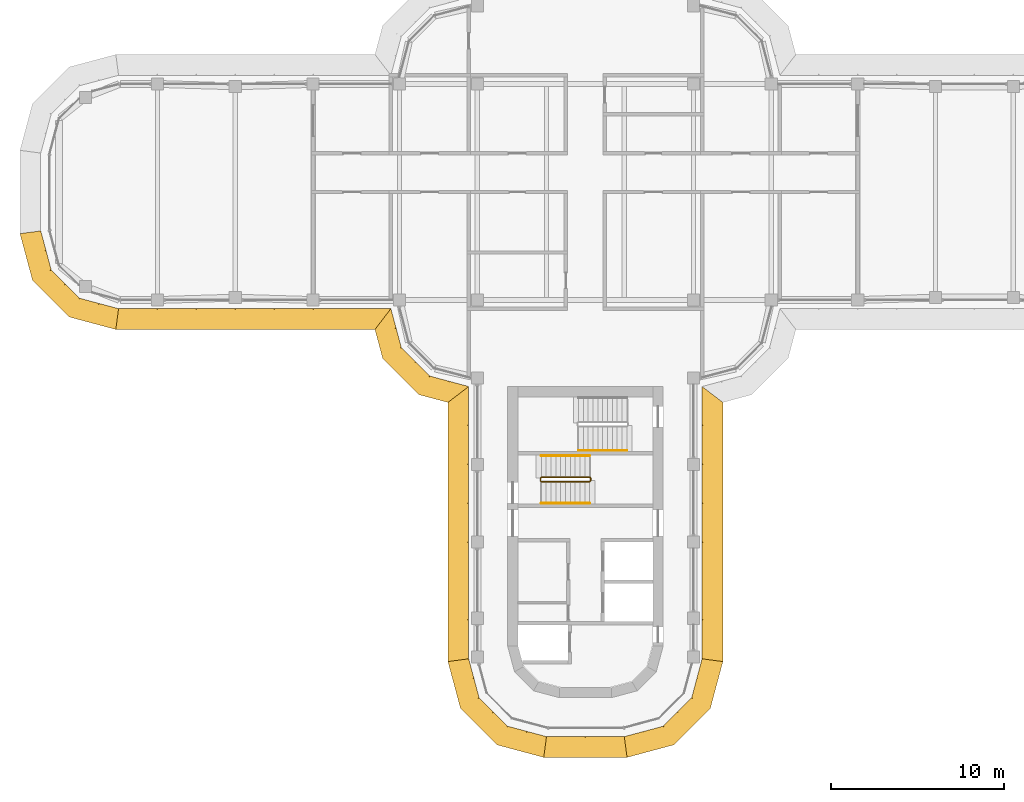
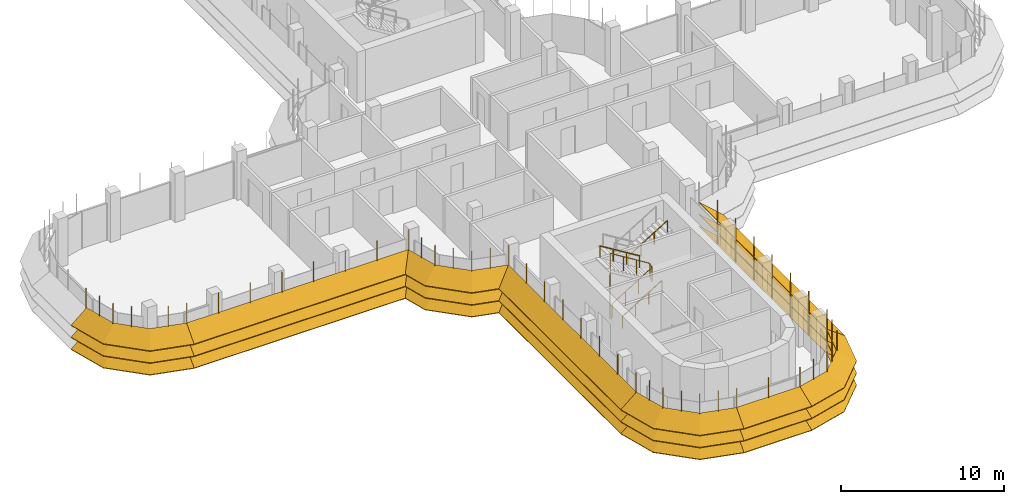
# One storey, part 16 of 18: 8 shading devices, 4 railings.
"""IFC4 building model written with IfcOpenShell, lengths in metres."""

from ifc_helpers import new_model, si_unit, direction, frame, origin, origin_2d, place, context, subcontext, project, spatial, polyline, circle, outline, extrude, faceted_brep, source, transform, mapped, material, type_object, element, save


model = new_model("IFC4")

# Units and contexts
model_context = context("Model", 3, precision=1e-05, world=origin(), true_north=direction((0.0, 1.0)))
body_context = subcontext(model_context, "Body", "Model", "MODEL_VIEW")
ifc_project = project(units=[si_unit("LENGTHUNIT", "METRE"), si_unit("AREAUNIT", "SQUARE_METRE"), si_unit("VOLUMEUNIT", "CUBIC_METRE"), si_unit("PLANEANGLEUNIT", "RADIAN"), si_unit("MASSUNIT", "GRAM", prefix="KILO")], contexts=[model_context])

# Site, building, storey
site_placement = place(None, origin())
site = spatial("IfcSite", under=ifc_project, at=site_placement, CompositionType="ELEMENT")
building_placement = place(site_placement, origin())
building = spatial("IfcBuilding", under=site, at=building_placement, Name="Zarbagh Exchange Tower", CompositionType="ELEMENT")
storey_placement = place(building_placement, frame((0.0, 0.0, 214.39990234375)))
storey = spatial("IfcBuildingStorey", under=building, at=storey_placement, Name="L52", CompositionType="ELEMENT", Elevation=214.39990234375)

# Railings
ifc_material_1 = material(Name="Stainless steel", Category="steel")
railing_type_1 = type_object("IfcRailingType", Name="Stair guard 1100 mm", PredefinedType="GUARDRAIL", material=ifc_material_1)
railing_1_placement = place(storey_placement, frame((-2.550048828125, -16.75, 0.1728515625)))
element("IfcRailing", 1, at=railing_1_placement, inside=storey, type_object=railing_type_1, Name="ST3 stair guard 1", PredefinedType="GUARDRAIL", context=body_context, shape_type="SweptSolid", body=[
    extrude(circle(Radius=0.02392578125, at=origin_2d()), frame((0.0, 0.0, 1.076171875), z_axis=(0.851089632645, 0.0, 0.525020415988), x_axis=(0.0, 1.0, 0.0)), (0.0, 0.0, 1.0), 3.2900390625),
    extrude(circle(Radius=0.02392578125, at=origin_2d()), frame((2.800048828125, 0.0, 2.80322265625), z_axis=(0.707106781187, 0.707106781187, 0.0), x_axis=(-0.707106781187, 0.707106781187, 0.0)), (0.0, 0.0, 1.0), 0.07080078125),
    extrude(circle(Radius=0.02392578125, at=origin_2d()), frame((2.85009765625, 0.050048828125, 2.80322265625), z_axis=(0.0, 1.0, 0.0), x_axis=(-1.0, 0.0, 0.0)), (0.0, 0.0, 1.0), 0.14990234375),
    extrude(circle(Radius=0.02392578125, at=origin_2d()), frame((2.85009765625, 0.199951171875, 2.80322265625), z_axis=(-0.268277960024, 0.268277960024, 0.925231793839), x_axis=(-0.707106781187, -0.707106781187, 0.0)), (0.0, 0.0, 1.0), 0.1865234375),
    extrude(circle(Radius=0.02392578125, at=origin_2d()), frame((2.800048828125, 0.25, 2.97607421875), z_axis=(-0.851089632645, 0.0, 0.525020415988), x_axis=(0.0, -1.0, 0.0)), (0.0, 0.0, 1.0), 3.2900390625),
    extrude(circle(Radius=0.02392578125, at=origin_2d()), frame((0.0, 0.25, 4.703125), z_axis=(-0.013168290981, -0.013168290981, -0.999826581076), x_axis=(0.707106781187, -0.707106781187, 0.0)), (0.0, 0.0, 1.0), 3.80078125),
    extrude(circle(Radius=0.02392578125, at=origin_2d()), frame((-0.050048828125, 0.199951171875, 0.9033203125), z_axis=(0.0, -1.0, 0.0), x_axis=(1.0, 0.0, 0.0)), (0.0, 0.0, 1.0), 0.14990234375),
    extrude(circle(Radius=0.02099609375, at=origin_2d()), origin(), (0.0, 0.0, 1.0), 1.052001953125),
    extrude(circle(Radius=0.02099609375, at=origin_2d()), frame((0.933349609375, 0.0, 0.57568359375)), (0.0, 0.0, 1.0), 1.052001953125),
    extrude(circle(Radius=0.02099609375, at=origin_2d()), frame((1.86669921875, 0.0, 1.151611328125)), (0.0, 0.0, 1.0), 1.052001953125),
    extrude(circle(Radius=0.02099609375, at=origin_2d()), frame((2.800048828125, 0.0, 1.727294921875)), (0.0, 0.0, 1.0), 1.052001953125),
    extrude(circle(Radius=0.02099609375, at=origin_2d()), frame((2.85009765625, 0.050048828125, 1.727294921875)), (0.0, 0.0, 1.0), 1.052001953125),
    extrude(circle(Radius=0.02099609375, at=origin_2d()), frame((2.85009765625, 0.199951171875, 1.727294921875)), (0.0, 0.0, 1.0), 1.052001953125),
    extrude(circle(Radius=0.02099609375, at=origin_2d()), frame((2.800048828125, 0.25, 1.89990234375)), (0.0, 0.0, 1.0), 1.052001953125),
    extrude(circle(Radius=0.02099609375, at=origin_2d()), frame((1.86669921875, 0.25, 2.4755859375)), (0.0, 0.0, 1.0), 1.052001953125),
    extrude(circle(Radius=0.02099609375, at=origin_2d()), frame((0.933349609375, 0.25, 3.051513671875)), (0.0, 0.0, 1.0), 1.052001953125),
    extrude(circle(Radius=0.02099609375, at=origin_2d()), frame((0.0, 0.25, 3.627197265625)), (0.0, 0.0, 1.0), 1.052001953125),
    extrude(circle(Radius=0.02099609375, at=origin_2d()), frame((-0.012451171875, 0.237548828125, 2.67724609375)), (0.0, 0.0, 1.0), 1.052001953125),
    extrude(circle(Radius=0.02099609375, at=origin_2d()), frame((-0.02490234375, 0.22509765625, 1.72705078125)), (0.0, 0.0, 1.0), 1.052001953125),
    extrude(circle(Radius=0.02099609375, at=origin_2d()), frame((-0.03759765625, 0.21240234375, 0.777099609375)), (0.0, 0.0, 1.0), 1.052001953125),
    extrude(circle(Radius=0.02099609375, at=origin_2d()), frame((-0.050048828125, 0.199951171875, -0.1728515625)), (0.0, 0.0, 1.0), 1.052001953125),
    extrude(circle(Radius=0.02099609375, at=origin_2d()), frame((-0.050048828125, 0.050048828125, -0.1728515625)), (0.0, 0.0, 1.0), 1.052001953125),
])
railing_type_2 = type_object("IfcRailingType", Name="Stair handrail 900 mm", PredefinedType="HANDRAIL", material=ifc_material_1)
railing_2_placement = place(storey_placement, frame((-2.550048828125, -18.0, 0.1728515625)))
element("IfcRailing", 2, at=railing_2_placement, inside=storey, type_object=railing_type_2, Name="ST3 stair handrail 1", PredefinedType="HANDRAIL", context=body_context, shape_type="SweptSolid", body=[
    extrude(circle(Radius=0.02392578125, at=origin_2d()), frame((0.0, 0.0, 0.8759765625), z_axis=(0.851089632645, 0.0, 0.525020415988), x_axis=(0.0, 1.0, 0.0)), (0.0, 0.0, 1.0), 3.2900390625),
    extrude(circle(Radius=0.02099609375, at=origin_2d()), origin(), (0.0, 0.0, 1.0), 0.851806640625),
    extrude(circle(Radius=0.02099609375, at=origin_2d()), frame((0.933349609375, 0.0, 0.57568359375)), (0.0, 0.0, 1.0), 0.851806640625),
    extrude(circle(Radius=0.02099609375, at=origin_2d()), frame((1.86669921875, 0.0, 1.151611328125)), (0.0, 0.0, 1.0), 0.851806640625),
    extrude(circle(Radius=0.02099609375, at=origin_2d()), frame((2.800048828125, 0.0, 1.727294921875)), (0.0, 0.0, 1.0), 0.851806640625),
])
railing_3_placement = place(storey_placement, frame((0.25, -15.25, 2.07275390625)))
element("IfcRailing", 3, at=railing_3_placement, inside=storey, type_object=railing_type_2, Name="ST3 stair handrail 2", PredefinedType="HANDRAIL", context=body_context, shape_type="SweptSolid", body=[
    extrude(circle(Radius=0.02392578125, at=origin_2d()), frame((0.0, 0.0, 0.8759765625), z_axis=(-0.851089632645, 0.0, 0.525020415988), x_axis=(0.0, -1.0, 0.0)), (0.0, 0.0, 1.0), 3.2900390625),
    extrude(circle(Radius=0.02099609375, at=origin_2d()), origin(), (0.0, 0.0, 1.0), 0.851806640625),
    extrude(circle(Radius=0.02099609375, at=origin_2d()), frame((-0.933349609375, 0.0, 0.57568359375)), (0.0, 0.0, 1.0), 0.851806640625),
    extrude(circle(Radius=0.02099609375, at=origin_2d()), frame((-1.86669921875, 0.0, 1.151611328125)), (0.0, 0.0, 1.0), 0.851806640625),
    extrude(circle(Radius=0.02099609375, at=origin_2d()), frame((-2.800048828125, 0.0, 1.727294921875)), (0.0, 0.0, 1.0), 0.851806640625),
])
railing_4_placement = place(storey_placement, frame((-0.39990234375, -14.949951171875, 2.07275390625)))
element("IfcRailing", 4, at=railing_4_placement, inside=storey, type_object=railing_type_2, Name="ST4 stair handrail 2", PredefinedType="HANDRAIL", context=body_context, shape_type="SweptSolid", body=[
    extrude(circle(Radius=0.02392578125, at=origin_2d()), frame((0.0, 0.0, 0.8759765625), z_axis=(0.851069175582, 0.0, 0.525053576669), x_axis=(0.0, 1.0, 0.0)), (0.0, 0.0, 1.0), 3.289794921875),
    extrude(circle(Radius=0.02099609375, at=origin_2d()), origin(), (0.0, 0.0, 1.0), 0.851806640625),
    extrude(circle(Radius=0.02099609375, at=origin_2d()), frame((0.933349609375, 0.0, 0.57568359375)), (0.0, 0.0, 1.0), 0.851806640625),
    extrude(circle(Radius=0.02099609375, at=origin_2d()), frame((1.866455078125, 0.0, 1.151611328125)), (0.0, 0.0, 1.0), 0.851806640625),
    extrude(circle(Radius=0.02099609375, at=origin_2d()), frame((2.7998046875, 0.0, 1.727294921875)), (0.0, 0.0, 1.0), 0.851806640625),
])

# Shading devices
ifc_material_2 = material(Name="Anodised aluminium blades and brackets", Category="aluminium")
shading_device_type = type_object("IfcShadingDeviceType", Name="SUNSHADE louvre band, 33.75 degree blades", PredefinedType="JALOUSIE", material=ifc_material_2)
shared_shape_1 = source(origin(), body_context, "Body", "Brep", [
    faceted_brep([(0.0, 0.0, 0.0), (0.0, 0.0, -0.048095703125), (-0.157958984375, -1.199951171875, -0.849853515625), (-0.157958984375, -1.199951171875, -0.8017578125), (2.65087890625, -1.199951171875, -0.8017578125), (2.65087890625, -1.199951171875, -0.849853515625), (2.329345703125, 0.0, -0.048095703125), (2.329345703125, 0.0, 0.0)], [[[0, 1, 2, 3]], [[4, 5, 6, 7]], [[0, 7, 6, 1]], [[1, 6, 5, 2]], [[2, 5, 4, 3]], [[3, 4, 7, 0]]]),
])
shared_shape_2 = source(origin(), body_context, "Body", "Brep", [
    faceted_brep([(0.0, 0.0, 0.0), (0.0, 0.0, -0.048095703125), (-0.321533203125, -1.199951171875, -0.849853515625), (-0.321533203125, -1.199951171875, -0.8017578125), (2.65087890625, -1.199951171875, -0.8017578125), (2.65087890625, -1.199951171875, -0.849853515625), (2.329345703125, 0.0, -0.048095703125), (2.329345703125, 0.0, 0.0)], [[[0, 1, 2, 3]], [[4, 5, 6, 7]], [[0, 7, 6, 1]], [[1, 6, 5, 2]], [[2, 5, 4, 3]], [[3, 4, 7, 0]]]),
])
shared_shape_3 = source(origin(), body_context, "Body", "Brep", [
    faceted_brep([(0.0, 0.0, 0.0), (0.0, 0.0, -0.048095703125), (-0.321533203125, -1.199951171875, -0.849853515625), (-0.321533203125, -1.199951171875, -0.8017578125), (2.4873046875, -1.199951171875, -0.8017578125), (2.4873046875, -1.199951171875, -0.849853515625), (2.329345703125, 0.0, -0.048095703125), (2.329345703125, 0.0, 0.0)], [[[0, 1, 2, 3]], [[4, 5, 6, 7]], [[0, 7, 6, 1]], [[1, 6, 5, 2]], [[2, 5, 4, 3]], [[3, 4, 7, 0]]]),
])
shared_shape_4 = source(origin(), body_context, "Body", "SweptSolid", [
    extrude(outline(polyline([(0.0, -0.012451171875), (0.06005859375, -0.012451171875), (0.06005859375, 0.012451171875), (0.0, 0.012451171875), (0.0, -0.012451171875)])), origin(), (0.0, 0.0, 1.0), 3.358154296875),
])
placement = place(storey_placement, origin())
element("IfcShadingDevice", 5, at=placement, inside=storey, type_object=shading_device_type, Name="SS35 sunshade band", PredefinedType="JALOUSIE", context=body_context, shape_type="MappedRepresentation", body=[
    mapped(shared_shape_1, transform((2.25, -31.5, 2.300048828125), x_axis=(0.965924289636, 0.258824779902, 0.0), y_axis=(-0.258824779902, 0.965924289636, 0.0), z_axis=(0.0, 0.0, 1.0))),
    mapped(shared_shape_1, transform((2.25, -31.5, 1.400146484375), x_axis=(0.965924289636, 0.258824779902, 0.0), y_axis=(-0.258824779902, 0.965924289636, 0.0), z_axis=(0.0, 0.0, 1.0))),
    mapped(shared_shape_1, transform((2.25, -31.5, 0.5), x_axis=(0.965924289636, 0.258824779902, 0.0), y_axis=(-0.258824779902, 0.965924289636, 0.0), z_axis=(0.0, 0.0, 1.0))),
    mapped(shared_shape_2, transform((4.5, -30.897216796875, 2.300048828125), x_axis=(0.707106781187, 0.707106781187, 0.0), y_axis=(-0.707106781187, 0.707106781187, 0.0), z_axis=(0.0, 0.0, 1.0))),
    mapped(shared_shape_2, transform((4.5, -30.897216796875, 1.400146484375), x_axis=(0.707106781187, 0.707106781187, 0.0), y_axis=(-0.707106781187, 0.707106781187, 0.0), z_axis=(0.0, 0.0, 1.0))),
    mapped(shared_shape_2, transform((4.5, -30.897216796875, 0.5), x_axis=(0.707106781187, 0.707106781187, 0.0), y_axis=(-0.707106781187, 0.707106781187, 0.0), z_axis=(0.0, 0.0, 1.0))),
    mapped(shared_shape_3, transform((6.147216796875, -29.25, 2.300048828125), x_axis=(0.258824779902, 0.965924289636, 0.0), y_axis=(-0.965924289636, 0.258824779902, 0.0), z_axis=(0.0, 0.0, 1.0))),
    mapped(shared_shape_3, transform((6.147216796875, -29.25, 1.400146484375), x_axis=(0.258824779902, 0.965924289636, 0.0), y_axis=(-0.965924289636, 0.258824779902, 0.0), z_axis=(0.0, 0.0, 1.0))),
    mapped(shared_shape_3, transform((6.147216796875, -29.25, 0.5), x_axis=(0.258824779902, 0.965924289636, 0.0), y_axis=(-0.965924289636, 0.258824779902, 0.0), z_axis=(0.0, 0.0, 1.0))),
    mapped(shared_shape_4, transform((2.25, -31.5, 0.421875), x_axis=(0.130529263012, -0.991444457092, 0.0), y_axis=(0.991444457092, 0.130529263012, 0.0), z_axis=(0.0, 0.0, 1.0))),
    mapped(shared_shape_4, transform((3.375, -31.198486328125, 0.421875), x_axis=(0.258825058029, -0.96592421511, 0.0), y_axis=(0.96592421511, 0.258825058029, 0.0), z_axis=(0.0, 0.0, 1.0))),
    mapped(shared_shape_4, transform((4.5, -30.897216796875, 0.421875), x_axis=(0.50000275701, -0.866023812018, 0.0), y_axis=(0.866023812018, 0.50000275701, 0.0), z_axis=(0.0, 0.0, 1.0))),
    mapped(shared_shape_4, transform((5.323486328125, -30.073486328125, 0.421875), x_axis=(0.707106781187, -0.707106781187, 0.0), y_axis=(0.707106781187, 0.707106781187, 0.0), z_axis=(0.0, 0.0, 1.0))),
    mapped(shared_shape_4, transform((6.147216796875, -29.25, 0.421875), x_axis=(0.866023812018, -0.50000275701, 0.0), y_axis=(0.50000275701, 0.866023812018, 0.0), z_axis=(0.0, 0.0, 1.0))),
    mapped(shared_shape_4, transform((6.448486328125, -28.125, 0.421875), x_axis=(0.96592421511, -0.258825058029, 0.0), y_axis=(0.258825058029, 0.96592421511, 0.0), z_axis=(0.0, 0.0, 1.0))),
])
element("IfcShadingDevice", 6, at=placement, inside=storey, type_object=shading_device_type, Name="SS43 sunshade band", PredefinedType="JALOUSIE", context=body_context, shape_type="MappedRepresentation", body=[
    mapped(shared_shape_1, transform((-31.5, -2.25, 2.300048828125), x_axis=(0.258824779902, -0.965924289636, 0.0), y_axis=(0.965924289636, 0.258824779902, 0.0), z_axis=(0.0, 0.0, 1.0))),
    mapped(shared_shape_1, transform((-31.5, -2.25, 1.400146484375), x_axis=(0.258824779902, -0.965924289636, 0.0), y_axis=(0.965924289636, 0.258824779902, 0.0), z_axis=(0.0, 0.0, 1.0))),
    mapped(shared_shape_1, transform((-31.5, -2.25, 0.5), x_axis=(0.258824779902, -0.965924289636, 0.0), y_axis=(0.965924289636, 0.258824779902, 0.0), z_axis=(0.0, 0.0, 1.0))),
    mapped(shared_shape_2, transform((-30.897216796875, -4.5, 2.300048828125), x_axis=(0.707106781187, -0.707106781187, 0.0), y_axis=(0.707106781187, 0.707106781187, 0.0), z_axis=(0.0, 0.0, 1.0))),
    mapped(shared_shape_2, transform((-30.897216796875, -4.5, 1.400146484375), x_axis=(0.707106781187, -0.707106781187, 0.0), y_axis=(0.707106781187, 0.707106781187, 0.0), z_axis=(0.0, 0.0, 1.0))),
    mapped(shared_shape_2, transform((-30.897216796875, -4.5, 0.5), x_axis=(0.707106781187, -0.707106781187, 0.0), y_axis=(0.707106781187, 0.707106781187, 0.0), z_axis=(0.0, 0.0, 1.0))),
    mapped(shared_shape_3, transform((-29.25, -6.147216796875, 2.300048828125), x_axis=(0.965924289636, -0.258824779902, 0.0), y_axis=(0.258824779902, 0.965924289636, 0.0), z_axis=(0.0, 0.0, 1.0))),
    mapped(shared_shape_3, transform((-29.25, -6.147216796875, 1.400146484375), x_axis=(0.965924289636, -0.258824779902, 0.0), y_axis=(0.258824779902, 0.965924289636, 0.0), z_axis=(0.0, 0.0, 1.0))),
    mapped(shared_shape_3, transform((-29.25, -6.147216796875, 0.5), x_axis=(0.965924289636, -0.258824779902, 0.0), y_axis=(0.258824779902, 0.965924289636, 0.0), z_axis=(0.0, 0.0, 1.0))),
    mapped(shared_shape_4, transform((-31.5, -2.25, 0.421875), x_axis=(-0.991444457092, -0.130529263012, 0.0), y_axis=(0.130529263012, -0.991444457092, 0.0), z_axis=(0.0, 0.0, 1.0))),
    mapped(shared_shape_4, transform((-31.198486328125, -3.375, 0.421875), x_axis=(-0.96592421511, -0.258825058029, 0.0), y_axis=(0.258825058029, -0.96592421511, 0.0), z_axis=(0.0, 0.0, 1.0))),
    mapped(shared_shape_4, transform((-30.897216796875, -4.5, 0.421875), x_axis=(-0.866023812018, -0.50000275701, 0.0), y_axis=(0.50000275701, -0.866023812018, 0.0), z_axis=(0.0, 0.0, 1.0))),
    mapped(shared_shape_4, transform((-30.073486328125, -5.323486328125, 0.421875), x_axis=(-0.707106781187, -0.707106781187, 0.0), y_axis=(0.707106781187, -0.707106781187, 0.0), z_axis=(0.0, 0.0, 1.0))),
    mapped(shared_shape_4, transform((-29.25, -6.147216796875, 0.421875), x_axis=(-0.50000275701, -0.866023812018, 0.0), y_axis=(0.866023812018, -0.50000275701, 0.0), z_axis=(0.0, 0.0, 1.0))),
    mapped(shared_shape_4, transform((-28.125, -6.448486328125, 0.421875), x_axis=(-0.258825058029, -0.96592421511, 0.0), y_axis=(0.96592421511, -0.258825058029, 0.0), z_axis=(0.0, 0.0, 1.0))),
])
element("IfcShadingDevice", 7, at=placement, inside=storey, type_object=shading_device_type, Name="SS38 sunshade band", PredefinedType="JALOUSIE", context=body_context, shape_type="MappedRepresentation", body=[
    mapped(shared_shape_1, transform((-6.75, -27.0, 2.300048828125), x_axis=(0.258824779902, -0.965924289636, 0.0), y_axis=(0.965924289636, 0.258824779902, 0.0), z_axis=(0.0, 0.0, 1.0))),
    mapped(shared_shape_1, transform((-6.75, -27.0, 1.400146484375), x_axis=(0.258824779902, -0.965924289636, 0.0), y_axis=(0.965924289636, 0.258824779902, 0.0), z_axis=(0.0, 0.0, 1.0))),
    mapped(shared_shape_1, transform((-6.75, -27.0, 0.5), x_axis=(0.258824779902, -0.965924289636, 0.0), y_axis=(0.965924289636, 0.258824779902, 0.0), z_axis=(0.0, 0.0, 1.0))),
    mapped(shared_shape_2, transform((-6.147216796875, -29.25, 2.300048828125), x_axis=(0.707106781187, -0.707106781187, 0.0), y_axis=(0.707106781187, 0.707106781187, 0.0), z_axis=(0.0, 0.0, 1.0))),
    mapped(shared_shape_2, transform((-6.147216796875, -29.25, 1.400146484375), x_axis=(0.707106781187, -0.707106781187, 0.0), y_axis=(0.707106781187, 0.707106781187, 0.0), z_axis=(0.0, 0.0, 1.0))),
    mapped(shared_shape_2, transform((-6.147216796875, -29.25, 0.5), x_axis=(0.707106781187, -0.707106781187, 0.0), y_axis=(0.707106781187, 0.707106781187, 0.0), z_axis=(0.0, 0.0, 1.0))),
    mapped(shared_shape_3, transform((-4.5, -30.897216796875, 2.300048828125), x_axis=(0.965924289636, -0.258824779902, 0.0), y_axis=(0.258824779902, 0.965924289636, 0.0), z_axis=(0.0, 0.0, 1.0))),
    mapped(shared_shape_3, transform((-4.5, -30.897216796875, 1.400146484375), x_axis=(0.965924289636, -0.258824779902, 0.0), y_axis=(0.258824779902, 0.965924289636, 0.0), z_axis=(0.0, 0.0, 1.0))),
    mapped(shared_shape_3, transform((-4.5, -30.897216796875, 0.5), x_axis=(0.965924289636, -0.258824779902, 0.0), y_axis=(0.258824779902, 0.965924289636, 0.0), z_axis=(0.0, 0.0, 1.0))),
    mapped(shared_shape_4, transform((-6.75, -27.0, 0.421875), x_axis=(-0.991444457092, -0.130529263012, 0.0), y_axis=(0.130529263012, -0.991444457092, 0.0), z_axis=(0.0, 0.0, 1.0))),
    mapped(shared_shape_4, transform((-6.448486328125, -28.125, 0.421875), x_axis=(-0.96592421511, -0.258825058029, 0.0), y_axis=(0.258825058029, -0.96592421511, 0.0), z_axis=(0.0, 0.0, 1.0))),
    mapped(shared_shape_4, transform((-6.147216796875, -29.25, 0.421875), x_axis=(-0.866023812018, -0.50000275701, 0.0), y_axis=(0.50000275701, -0.866023812018, 0.0), z_axis=(0.0, 0.0, 1.0))),
    mapped(shared_shape_4, transform((-5.323486328125, -30.073486328125, 0.421875), x_axis=(-0.707106781187, -0.707106781187, 0.0), y_axis=(0.707106781187, -0.707106781187, 0.0), z_axis=(0.0, 0.0, 1.0))),
    mapped(shared_shape_4, transform((-4.5, -30.897216796875, 0.421875), x_axis=(-0.50000275701, -0.866023812018, 0.0), y_axis=(0.866023812018, -0.50000275701, 0.0), z_axis=(0.0, 0.0, 1.0))),
    mapped(shared_shape_4, transform((-3.375, -31.198486328125, 0.421875), x_axis=(-0.258825058029, -0.96592421511, 0.0), y_axis=(0.96592421511, -0.258825058029, 0.0), z_axis=(0.0, 0.0, 1.0))),
])
shared_shape_5 = source(origin(), body_context, "Body", "Brep", [
    faceted_brep([(0.0, 0.0, 0.0), (0.0, 0.0, -0.048095703125), (0.9208984375, -1.199951171875, -0.849853515625), (0.9208984375, -1.199951171875, -0.8017578125), (2.65087890625, -1.199951171875, -0.8017578125), (2.65087890625, -1.199951171875, -0.849853515625), (2.329345703125, 0.0, -0.048095703125), (2.329345703125, 0.0, 0.0)], [[[0, 1, 2, 3]], [[4, 5, 6, 7]], [[0, 7, 6, 1]], [[1, 6, 5, 2]], [[2, 5, 4, 3]], [[3, 4, 7, 0]]]),
])
shared_shape_6 = source(origin(), body_context, "Body", "Brep", [
    faceted_brep([(0.0, 0.0, 0.0), (0.0, 0.0, -0.048095703125), (-0.321533203125, -1.199951171875, -0.849853515625), (-0.321533203125, -1.199951171875, -0.8017578125), (1.40869140625, -1.199951171875, -0.8017578125), (1.40869140625, -1.199951171875, -0.849853515625), (2.329345703125, 0.0, -0.048095703125), (2.329345703125, 0.0, 0.0)], [[[0, 1, 2, 3]], [[4, 5, 6, 7]], [[0, 7, 6, 1]], [[1, 6, 5, 2]], [[2, 5, 4, 3]], [[3, 4, 7, 0]]]),
])
element("IfcShadingDevice", 8, at=placement, inside=storey, type_object=shading_device_type, Name="SS21 sunshade band", PredefinedType="JALOUSIE", context=body_context, shape_type="MappedRepresentation", body=[
    mapped(shared_shape_5, transform((-11.25, -6.75, 2.300048828125), x_axis=(0.258824779902, -0.965924289636, 0.0), y_axis=(0.965924289636, 0.258824779902, 0.0), z_axis=(0.0, 0.0, 1.0))),
    mapped(shared_shape_5, transform((-11.25, -6.75, 1.400146484375), x_axis=(0.258824779902, -0.965924289636, 0.0), y_axis=(0.965924289636, 0.258824779902, 0.0), z_axis=(0.0, 0.0, 1.0))),
    mapped(shared_shape_5, transform((-11.25, -6.75, 0.5), x_axis=(0.258824779902, -0.965924289636, 0.0), y_axis=(0.965924289636, 0.258824779902, 0.0), z_axis=(0.0, 0.0, 1.0))),
    mapped(shared_shape_2, transform((-10.647216796875, -9.0, 2.300048828125), x_axis=(0.707106781187, -0.707106781187, 0.0), y_axis=(0.707106781187, 0.707106781187, 0.0), z_axis=(0.0, 0.0, 1.0))),
    mapped(shared_shape_2, transform((-10.647216796875, -9.0, 1.400146484375), x_axis=(0.707106781187, -0.707106781187, 0.0), y_axis=(0.707106781187, 0.707106781187, 0.0), z_axis=(0.0, 0.0, 1.0))),
    mapped(shared_shape_2, transform((-10.647216796875, -9.0, 0.5), x_axis=(0.707106781187, -0.707106781187, 0.0), y_axis=(0.707106781187, 0.707106781187, 0.0), z_axis=(0.0, 0.0, 1.0))),
    mapped(shared_shape_6, transform((-9.0, -10.647216796875, 2.300048828125), x_axis=(0.965924289636, -0.258824779902, 0.0), y_axis=(0.258824779902, 0.965924289636, 0.0), z_axis=(0.0, 0.0, 1.0))),
    mapped(shared_shape_6, transform((-9.0, -10.647216796875, 1.400146484375), x_axis=(0.965924289636, -0.258824779902, 0.0), y_axis=(0.258824779902, 0.965924289636, 0.0), z_axis=(0.0, 0.0, 1.0))),
    mapped(shared_shape_6, transform((-9.0, -10.647216796875, 0.5), x_axis=(0.965924289636, -0.258824779902, 0.0), y_axis=(0.258824779902, 0.965924289636, 0.0), z_axis=(0.0, 0.0, 1.0))),
    mapped(shared_shape_4, transform((-11.25, -6.75, 0.421875), x_axis=(-0.608758892, -0.793355287, 0.0), y_axis=(0.793355287, -0.608758892, 0.0), z_axis=(0.0, 0.0, 1.0))),
    mapped(shared_shape_4, transform((-10.948486328125, -7.875, 0.421875), x_axis=(-0.96592421511, -0.258825058029, 0.0), y_axis=(0.258825058029, -0.96592421511, 0.0), z_axis=(0.0, 0.0, 1.0))),
    mapped(shared_shape_4, transform((-10.647216796875, -9.0, 0.421875), x_axis=(-0.866023812018, -0.50000275701, 0.0), y_axis=(0.50000275701, -0.866023812018, 0.0), z_axis=(0.0, 0.0, 1.0))),
    mapped(shared_shape_4, transform((-9.823486328125, -9.823486328125, 0.421875), x_axis=(-0.707106781187, -0.707106781187, 0.0), y_axis=(0.707106781187, -0.707106781187, 0.0), z_axis=(0.0, 0.0, 1.0))),
    mapped(shared_shape_4, transform((-9.0, -10.647216796875, 0.421875), x_axis=(-0.50000275701, -0.866023812018, 0.0), y_axis=(0.866023812018, -0.50000275701, 0.0), z_axis=(0.0, 0.0, 1.0))),
    mapped(shared_shape_4, transform((-7.875, -10.948486328125, 0.421875), x_axis=(-0.258825058029, -0.96592421511, 0.0), y_axis=(0.96592421511, -0.258825058029, 0.0), z_axis=(0.0, 0.0, 1.0))),
])
shared_shape_7 = source(origin(), body_context, "Body", "Brep", [
    faceted_brep([(0.0, 0.0, 0.0), (0.0, 0.0, -0.048095703125), (-0.157958984375, -1.199951171875, -0.849853515625), (-0.157958984375, -1.199951171875, -0.8017578125), (14.8291015625, -1.199951171875, -0.8017578125), (14.8291015625, -1.199951171875, -0.849853515625), (15.75, 0.0, -0.048095703125), (15.75, 0.0, 0.0)], [[[0, 1, 2, 3]], [[4, 5, 6, 7]], [[0, 7, 6, 1]], [[1, 6, 5, 2]], [[2, 5, 4, 3]], [[3, 4, 7, 0]]]),
])
element("IfcShadingDevice", 9, at=placement, inside=storey, type_object=shading_device_type, Name="SS36 sunshade band", PredefinedType="JALOUSIE", context=body_context, shape_type="MappedRepresentation", body=[
    mapped(shared_shape_7, transform((6.75, -27.0, 2.300048828125), x_axis=(0.0, 1.0, 0.0), y_axis=(-1.0, 0.0, 0.0), z_axis=(0.0, 0.0, 1.0))),
    mapped(shared_shape_7, transform((6.75, -27.0, 1.400146484375), x_axis=(0.0, 1.0, 0.0), y_axis=(-1.0, 0.0, 0.0), z_axis=(0.0, 0.0, 1.0))),
    mapped(shared_shape_7, transform((6.75, -27.0, 0.5), x_axis=(0.0, 1.0, 0.0), y_axis=(-1.0, 0.0, 0.0), z_axis=(0.0, 0.0, 1.0))),
    mapped(shared_shape_4, transform((6.75, -27.0, 0.421875), x_axis=(0.991444457092, -0.130529263012, 0.0), y_axis=(0.130529263012, 0.991444457092, 0.0), z_axis=(0.0, 0.0, 1.0))),
    mapped(shared_shape_4, transform((6.75, -24.75, 0.421875), x_axis=(1.0, 0.0, 0.0), y_axis=(0.0, 1.0, 0.0), z_axis=(0.0, 0.0, 1.0))),
    mapped(shared_shape_4, transform((6.75, -22.5, 0.421875), x_axis=(1.0, 0.0, 0.0), y_axis=(0.0, 1.0, 0.0), z_axis=(0.0, 0.0, 1.0))),
    mapped(shared_shape_4, transform((6.75, -20.25, 0.421875), x_axis=(1.0, 0.0, 0.0), y_axis=(0.0, 1.0, 0.0), z_axis=(0.0, 0.0, 1.0))),
    mapped(shared_shape_4, transform((6.75, -18.0, 0.421875), x_axis=(1.0, 0.0, 0.0), y_axis=(0.0, 1.0, 0.0), z_axis=(0.0, 0.0, 1.0))),
    mapped(shared_shape_4, transform((6.75, -15.75, 0.421875), x_axis=(1.0, 0.0, 0.0), y_axis=(0.0, 1.0, 0.0), z_axis=(0.0, 0.0, 1.0))),
    mapped(shared_shape_4, transform((6.75, -13.5, 0.421875), x_axis=(1.0, 0.0, 0.0), y_axis=(0.0, 1.0, 0.0), z_axis=(0.0, 0.0, 1.0))),
])
element("IfcShadingDevice", 10, at=placement, inside=storey, type_object=shading_device_type, Name="SS44 sunshade band", PredefinedType="JALOUSIE", context=body_context, shape_type="MappedRepresentation", body=[
    mapped(shared_shape_7, transform((-27.0, -6.75, 2.300048828125), x_axis=(1.0, 0.0, 0.0), y_axis=(0.0, 1.0, 0.0), z_axis=(0.0, 0.0, 1.0))),
    mapped(shared_shape_7, transform((-27.0, -6.75, 1.400146484375), x_axis=(1.0, 0.0, 0.0), y_axis=(0.0, 1.0, 0.0), z_axis=(0.0, 0.0, 1.0))),
    mapped(shared_shape_7, transform((-27.0, -6.75, 0.5), x_axis=(1.0, 0.0, 0.0), y_axis=(0.0, 1.0, 0.0), z_axis=(0.0, 0.0, 1.0))),
    mapped(shared_shape_4, transform((-27.0, -6.75, 0.421875), x_axis=(-0.130529263012, -0.991444457092, 0.0), y_axis=(0.991444457092, -0.130529263012, 0.0), z_axis=(0.0, 0.0, 1.0))),
    mapped(shared_shape_4, transform((-24.75, -6.75, 0.421875), x_axis=(0.0, -1.0, 0.0), y_axis=(1.0, 0.0, 0.0), z_axis=(0.0, 0.0, 1.0))),
    mapped(shared_shape_4, transform((-22.5, -6.75, 0.421875), x_axis=(0.0, -1.0, 0.0), y_axis=(1.0, 0.0, 0.0), z_axis=(0.0, 0.0, 1.0))),
    mapped(shared_shape_4, transform((-20.25, -6.75, 0.421875), x_axis=(0.0, -1.0, 0.0), y_axis=(1.0, 0.0, 0.0), z_axis=(0.0, 0.0, 1.0))),
    mapped(shared_shape_4, transform((-18.0, -6.75, 0.421875), x_axis=(0.0, -1.0, 0.0), y_axis=(1.0, 0.0, 0.0), z_axis=(0.0, 0.0, 1.0))),
    mapped(shared_shape_4, transform((-15.75, -6.75, 0.421875), x_axis=(0.0, -1.0, 0.0), y_axis=(1.0, 0.0, 0.0), z_axis=(0.0, 0.0, 1.0))),
    mapped(shared_shape_4, transform((-13.5, -6.75, 0.421875), x_axis=(0.0, -1.0, 0.0), y_axis=(1.0, 0.0, 0.0), z_axis=(0.0, 0.0, 1.0))),
])
shared_shape_8 = source(origin(), body_context, "Body", "Brep", [
    faceted_brep([(0.0, 0.0, 0.0), (0.0, 0.0, -0.048095703125), (0.9208984375, -1.199951171875, -0.849853515625), (0.9208984375, -1.199951171875, -0.8017578125), (15.907958984375, -1.199951171875, -0.8017578125), (15.907958984375, -1.199951171875, -0.849853515625), (15.75, 0.0, -0.048095703125), (15.75, 0.0, 0.0)], [[[0, 1, 2, 3]], [[4, 5, 6, 7]], [[0, 7, 6, 1]], [[1, 6, 5, 2]], [[2, 5, 4, 3]], [[3, 4, 7, 0]]]),
])
element("IfcShadingDevice", 11, at=placement, inside=storey, type_object=shading_device_type, Name="SS37 sunshade band", PredefinedType="JALOUSIE", context=body_context, shape_type="MappedRepresentation", body=[
    mapped(shared_shape_8, transform((-6.75, -11.25, 2.300048828125), x_axis=(0.0, -1.0, 0.0), y_axis=(1.0, 0.0, 0.0), z_axis=(0.0, 0.0, 1.0))),
    mapped(shared_shape_8, transform((-6.75, -11.25, 1.400146484375), x_axis=(0.0, -1.0, 0.0), y_axis=(1.0, 0.0, 0.0), z_axis=(0.0, 0.0, 1.0))),
    mapped(shared_shape_8, transform((-6.75, -11.25, 0.5), x_axis=(0.0, -1.0, 0.0), y_axis=(1.0, 0.0, 0.0), z_axis=(0.0, 0.0, 1.0))),
    mapped(shared_shape_4, transform((-6.75, -11.25, 0.421875), x_axis=(-0.793355287, -0.608758892, 0.0), y_axis=(0.608758892, -0.793355287, 0.0), z_axis=(0.0, 0.0, 1.0))),
    mapped(shared_shape_4, transform((-6.75, -13.5, 0.421875), x_axis=(-1.0, 0.0, 0.0), y_axis=(0.0, -1.0, 0.0), z_axis=(0.0, 0.0, 1.0))),
    mapped(shared_shape_4, transform((-6.75, -15.75, 0.421875), x_axis=(-1.0, 0.0, 0.0), y_axis=(0.0, -1.0, 0.0), z_axis=(0.0, 0.0, 1.0))),
    mapped(shared_shape_4, transform((-6.75, -18.0, 0.421875), x_axis=(-1.0, 0.0, 0.0), y_axis=(0.0, -1.0, 0.0), z_axis=(0.0, 0.0, 1.0))),
    mapped(shared_shape_4, transform((-6.75, -20.25, 0.421875), x_axis=(-1.0, 0.0, 0.0), y_axis=(0.0, -1.0, 0.0), z_axis=(0.0, 0.0, 1.0))),
    mapped(shared_shape_4, transform((-6.75, -22.5, 0.421875), x_axis=(-1.0, 0.0, 0.0), y_axis=(0.0, -1.0, 0.0), z_axis=(0.0, 0.0, 1.0))),
    mapped(shared_shape_4, transform((-6.75, -24.75, 0.421875), x_axis=(-1.0, 0.0, 0.0), y_axis=(0.0, -1.0, 0.0), z_axis=(0.0, 0.0, 1.0))),
])
shared_shape_9 = source(origin(), body_context, "Body", "Brep", [
    faceted_brep([(0.0, 0.0, 0.0), (0.0, 0.0, -0.048095703125), (-0.157958984375, -1.199951171875, -0.849853515625), (-0.157958984375, -1.199951171875, -0.8017578125), (4.657958984375, -1.199951171875, -0.8017578125), (4.657958984375, -1.199951171875, -0.849853515625), (4.5, 0.0, -0.048095703125), (4.5, 0.0, 0.0)], [[[0, 1, 2, 3]], [[4, 5, 6, 7]], [[0, 7, 6, 1]], [[1, 6, 5, 2]], [[2, 5, 4, 3]], [[3, 4, 7, 0]]]),
])
element("IfcShadingDevice", 12, at=placement, inside=storey, type_object=shading_device_type, Name="SS39 sunshade band", PredefinedType="JALOUSIE", context=body_context, shape_type="MappedRepresentation", body=[
    mapped(shared_shape_9, transform((-2.25, -31.5, 2.300048828125), x_axis=(1.0, 0.0, 0.0), y_axis=(0.0, 1.0, 0.0), z_axis=(0.0, 0.0, 1.0))),
    mapped(shared_shape_9, transform((-2.25, -31.5, 1.400146484375), x_axis=(1.0, 0.0, 0.0), y_axis=(0.0, 1.0, 0.0), z_axis=(0.0, 0.0, 1.0))),
    mapped(shared_shape_9, transform((-2.25, -31.5, 0.5), x_axis=(1.0, 0.0, 0.0), y_axis=(0.0, 1.0, 0.0), z_axis=(0.0, 0.0, 1.0))),
    mapped(shared_shape_4, transform((-2.25, -31.5, 0.421875), x_axis=(-0.130529263012, -0.991444457092, 0.0), y_axis=(0.991444457092, -0.130529263012, 0.0), z_axis=(0.0, 0.0, 1.0))),
    mapped(shared_shape_4, transform((0.0, -31.5, 0.421875), x_axis=(0.0, -1.0, 0.0), y_axis=(1.0, 0.0, 0.0), z_axis=(0.0, 0.0, 1.0))),
])

save(model, "model.ifc")
